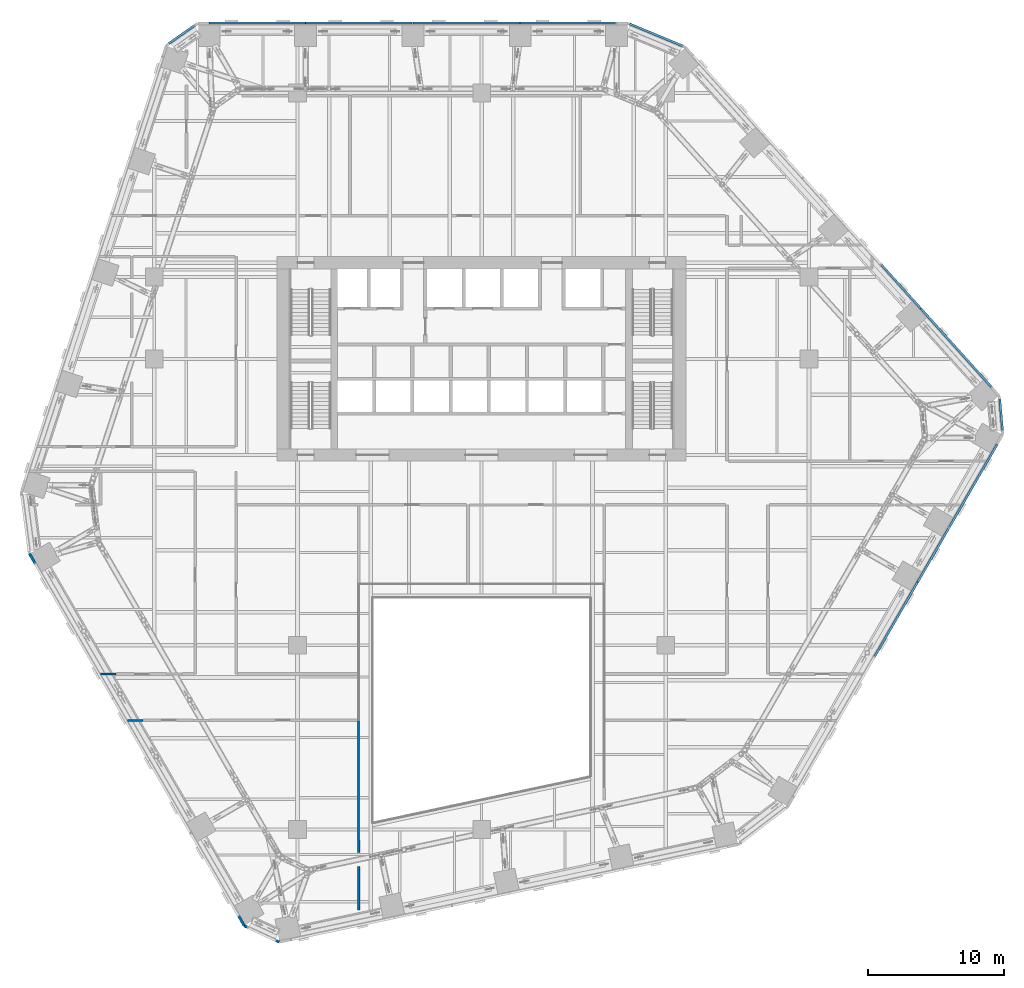
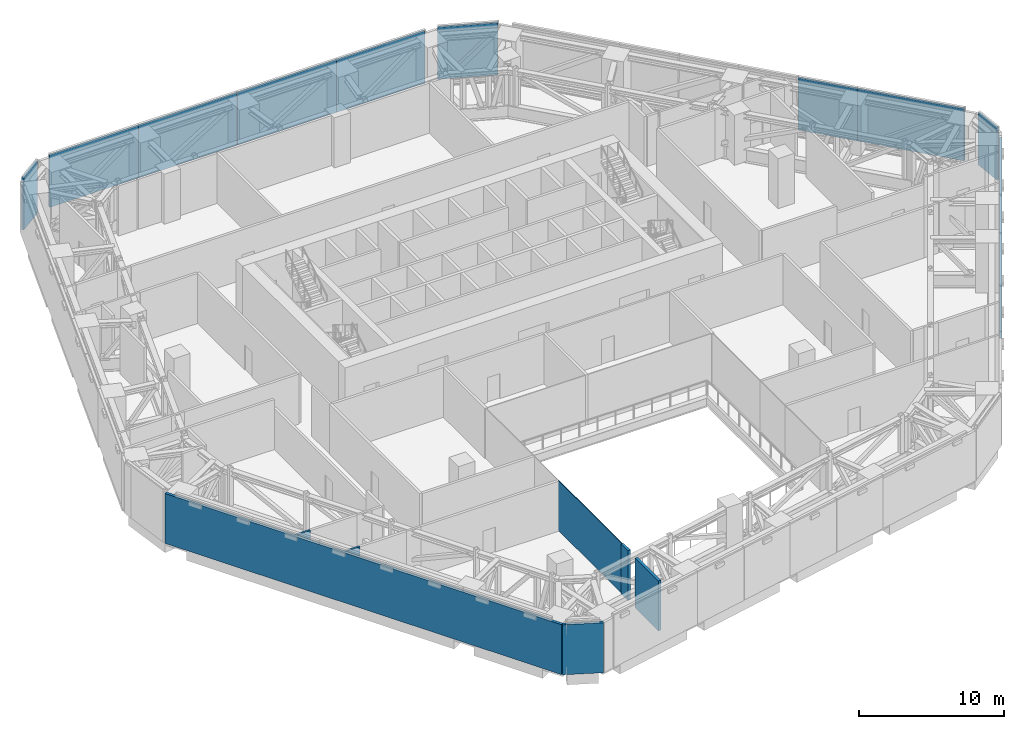
# One storey, part 20 of 36: 12 plates, 7 walls, 6 elements without a shape of their own.
"""IFC4 building model written with IfcOpenShell, lengths in metres."""

from ifc_helpers import new_model, si_unit, direction, frame, frame_2d, origin, origin_2d, place, context, subcontext, project, spatial, rectangle, extrude, material, layer, layer_set, type_object, element, aggregate, save


model = new_model("IFC4")

# Units and contexts
model_context = context("Model", 3, precision=1e-05, world=origin(), true_north=direction((0.0, 1.0)))
body_context = subcontext(model_context, "Body", "Model", "MODEL_VIEW")
ifc_project = project(units=[si_unit("LENGTHUNIT", "METRE"), si_unit("AREAUNIT", "SQUARE_METRE"), si_unit("VOLUMEUNIT", "CUBIC_METRE"), si_unit("PLANEANGLEUNIT", "RADIAN"), si_unit("MASSUNIT", "GRAM", prefix="KILO")], contexts=[model_context])

# Site, building, storey
site_placement = place(None, origin())
site = spatial("IfcSite", under=ifc_project, at=site_placement, CompositionType="ELEMENT")
building_placement = place(site_placement, origin())
building = spatial("IfcBuilding", under=site, at=building_placement, Name="Isthmus Gate Tower", CompositionType="ELEMENT")
storey_placement = place(building_placement, frame((0.0, 0.0, 117.14990234375)))
storey = spatial("IfcBuildingStorey", under=building, at=storey_placement, Name="L28", CompositionType="ELEMENT", Elevation=117.14990234375)

# Curtain wall, plates
ifc_material_1 = material(Name="Aluminium, pale champagne anodised", Category="aluminium")
ifc_layer_1 = layer(ifc_material_1, 0.199951171875)
ifc_layer_set_1 = layer_set([ifc_layer_1], Name="CW-2 LOUVRE CURTAIN WALL 200 DEEP")
curtain_wall_type = type_object("IfcCurtainWallType", Name="CW-2 LOUVRE CURTAIN WALL 200 DEEP", PredefinedType="NOTDEFINED", material=ifc_layer_set_1)
curtain_wall_1_placement = place(storey_placement, origin())
curtain_wall_1 = element("IfcCurtainWall", 1, at=curtain_wall_1_placement, inside=storey, type_object=curtain_wall_type, Name="CW-2 N L28", PredefinedType="NOTDEFINED")
ifc_material_2 = material(Name="Aluminium louvre blades, pale champagne anodised", Category="aluminium")
ifc_layer_2 = layer(ifc_material_2, 0.159912109375)
ifc_layer_set_2 = layer_set([ifc_layer_2], Name="CW-2 LOUVRE PANEL 160")
plate_type = type_object("IfcPlateType", Name="CW-2 LOUVRE PANEL 160", PredefinedType="CURTAIN_PANEL", material=ifc_layer_set_2)
plate_1_placement = place(storey_placement, frame((6.337158203125, 32.1201171875, 0.000244140625), z_axis=(0.0, 0.0, 1.0), x_axis=(-1.0, 0.0, 0.0)))
plate_1 = element("IfcPlate", 2, at=plate_1_placement, type_object=plate_type, Name="CW-2 louvre panel", PredefinedType="CURTAIN_PANEL", context=body_context, shape_type="SweptSolid", body=[
    extrude(rectangle(XDim=7.009521484375, YDim=0.159912109375, at=origin_2d()), origin(), (0.0, 0.0, 1.0), 4.3798828125),
])
plate_2_placement = place(storey_placement, frame((-1.1025390625, 32.1201171875, 0.000244140625), z_axis=(0.0, 0.0, 1.0), x_axis=(-1.0, 0.0, 0.0)))
plate_2 = element("IfcPlate", 3, at=plate_2_placement, type_object=plate_type, Name="CW-2 louvre panel", PredefinedType="CURTAIN_PANEL", context=body_context, shape_type="SweptSolid", body=[
    extrude(rectangle(XDim=7.86962890625, YDim=0.159912109375, at=origin_2d()), origin(), (0.0, 0.0, 1.0), 4.3798828125),
])
plate_3_placement = place(storey_placement, frame((-9.001953125, 32.1201171875, 0.000244140625), z_axis=(0.0, 0.0, 1.0), x_axis=(-1.0, 0.0, 0.0)))
plate_3 = element("IfcPlate", 4, at=plate_3_placement, type_object=plate_type, Name="CW-2 louvre panel", PredefinedType="CURTAIN_PANEL", context=body_context, shape_type="SweptSolid", body=[
    extrude(rectangle(XDim=7.8095703125, YDim=0.159912109375, at=origin_2d()), origin(), (0.0, 0.0, 1.0), 4.3798828125),
])
plate_4_placement = place(storey_placement, frame((-16.44140625, 32.1201171875, 0.000244140625), z_axis=(0.0, 0.0, 1.0), x_axis=(-1.0, 0.0, 0.0)))
plate_4 = element("IfcPlate", 5, at=plate_4_placement, type_object=plate_type, Name="CW-2 louvre panel", PredefinedType="CURTAIN_PANEL", context=body_context, shape_type="SweptSolid", body=[
    extrude(rectangle(XDim=7.069580078125, YDim=0.159912109375, at=origin_2d()), origin(), (0.0, 0.0, 1.0), 4.3798828125),
])
aggregate(curtain_wall_1, [plate_1, plate_2, plate_3, plate_4])

# Curtain wall, plate
curtain_wall_2_placement = place(storey_placement, origin())
curtain_wall_2 = element("IfcCurtainWall", 6, at=curtain_wall_2_placement, inside=storey, type_object=curtain_wall_type, Name="CW-2 N-NW L28", PredefinedType="NOTDEFINED")
plate_5_placement = place(storey_placement, frame((-21.990478515625, 31.29248046875, 0.000244140625), z_axis=(0.0, 0.0, 1.0), x_axis=(-0.81785959165, -0.57541783805, 0.0)))
plate_5 = element("IfcPlate", 7, at=plate_5_placement, type_object=plate_type, Name="CW-2 louvre panel", PredefinedType="CURTAIN_PANEL", context=body_context, shape_type="SweptSolid", body=[
    extrude(rectangle(XDim=2.258544921875, YDim=0.159912109375, at=origin_2d()), origin(), (0.0, 0.0, 1.0), 4.3798828125),
])
aggregate(curtain_wall_2, [plate_5])

# Curtain wall, plates
curtain_wall_3_placement = place(storey_placement, origin())
curtain_wall_3 = element("IfcCurtainWall", 8, at=curtain_wall_3_placement, inside=storey, type_object=curtain_wall_type, Name="CW-2 SE L28", PredefinedType="NOTDEFINED")
plate_6_placement = place(storey_placement, frame((30.404052734375, -11.57861328125, 0.000244140625), z_axis=(0.0, 0.0, 1.0), x_axis=(0.5, 0.866025403784, 0.0)))
plate_6 = element("IfcPlate", 9, at=plate_6_placement, type_object=plate_type, Name="CW-2 louvre panel", PredefinedType="CURTAIN_PANEL", context=body_context, shape_type="SweptSolid", body=[
    extrude(rectangle(XDim=6.278564453125, YDim=0.159912109375, at=origin_2d()), origin(), (0.0, 0.0, 1.0), 4.3798828125),
])
plate_7_placement = place(storey_placement, frame((33.121826171875, -6.871337890625, 0.000244140625), z_axis=(0.0, 0.0, 1.0), x_axis=(0.5, 0.866025403784, 0.0)))
plate_7 = element("IfcPlate", 10, at=plate_7_placement, type_object=plate_type, Name="CW-2 louvre panel", PredefinedType="CURTAIN_PANEL", context=body_context, shape_type="SweptSolid", body=[
    extrude(rectangle(XDim=4.5927734375, YDim=0.159912109375, at=origin_2d()), origin(), (0.0, 0.0, 1.0), 4.3798828125),
])
plate_8_placement = place(storey_placement, frame((36.052490234375, -1.79541015625, 0.000244140625), z_axis=(0.0, 0.0, 1.0), x_axis=(0.5, 0.866025403784, 0.0)))
plate_8 = element("IfcPlate", 11, at=plate_8_placement, type_object=plate_type, Name="CW-2 louvre panel", PredefinedType="CURTAIN_PANEL", context=body_context, shape_type="SweptSolid", body=[
    extrude(rectangle(XDim=7.009521484375, YDim=0.159912109375, at=origin_2d()), origin(), (0.0, 0.0, 1.0), 4.3798828125),
])
aggregate(curtain_wall_3, [plate_6, plate_7, plate_8])

# Curtain wall, plate
curtain_wall_4_placement = place(storey_placement, origin())
curtain_wall_4 = element("IfcCurtainWall", 12, at=curtain_wall_4_placement, inside=storey, type_object=curtain_wall_type, Name="CW-2 SE-NE L28", PredefinedType="NOTDEFINED")
plate_9_placement = place(storey_placement, frame((38.09521484375, 3.398193359375, 0.000244140625), z_axis=(0.0, 0.0, 1.0), x_axis=(-0.089396669717, 0.995996102123, 0.0)))
plate_9 = element("IfcPlate", 13, at=plate_9_placement, type_object=plate_type, Name="CW-2 louvre panel", PredefinedType="CURTAIN_PANEL", context=body_context, shape_type="SweptSolid", body=[
    extrude(rectangle(XDim=2.258544921875, YDim=0.159912109375, at=origin_2d()), origin(), (0.0, 0.0, 1.0), 4.3798828125),
])
aggregate(curtain_wall_4, [plate_9])

# Curtain wall, plates
curtain_wall_5_placement = place(storey_placement, origin())
curtain_wall_5 = element("IfcCurtainWall", 14, at=curtain_wall_5_placement, inside=storey, type_object=curtain_wall_type, Name="CW-2 NE L28", PredefinedType="NOTDEFINED")
plate_10_placement = place(storey_placement, frame((34.782470703125, 8.32763671875, 0.000244140625), z_axis=(0.0, 0.0, 1.0), x_axis=(-0.669130606359, 0.743144825477, 0.0)))
plate_10 = element("IfcPlate", 15, at=plate_10_placement, type_object=plate_type, Name="CW-2 louvre panel", PredefinedType="CURTAIN_PANEL", context=body_context, shape_type="SweptSolid", body=[
    extrude(rectangle(XDim=7.729248046875, YDim=0.159912109375, at=origin_2d()), origin(), (0.0, 0.0, 1.0), 4.3798828125),
])
plate_11_placement = place(storey_placement, frame((30.759521484375, 12.79541015625, 0.000244140625), z_axis=(0.0, 0.0, 1.0), x_axis=(-0.669130606359, 0.743144825477, 0.0)))
plate_11 = element("IfcPlate", 16, at=plate_11_placement, type_object=plate_type, Name="CW-2 louvre panel", PredefinedType="CURTAIN_PANEL", context=body_context, shape_type="SweptSolid", body=[
    extrude(rectangle(XDim=4.294677734375, YDim=0.159912109375, at=origin_2d()), origin(), (0.0, 0.0, 1.0), 4.3798828125),
])
aggregate(curtain_wall_5, [plate_10, plate_11])

# Curtain wall, plate
curtain_wall_6_placement = place(storey_placement, origin())
curtain_wall_6 = element("IfcCurtainWall", 17, at=curtain_wall_6_placement, inside=storey, type_object=curtain_wall_type, Name="CW-2 NE-N L28", PredefinedType="NOTDEFINED")
plate_12_placement = place(storey_placement, frame((12.793701171875, 31.26025390625, 0.000244140625), z_axis=(0.0, 0.0, 1.0), x_axis=(-0.923353128387, 0.383951820282, 0.0)))
plate_12 = element("IfcPlate", 18, at=plate_12_placement, type_object=plate_type, Name="CW-2 louvre panel", PredefinedType="CURTAIN_PANEL", context=body_context, shape_type="SweptSolid", body=[
    extrude(rectangle(XDim=4.181396484375, YDim=0.159912109375, at=origin_2d()), origin(), (0.0, 0.0, 1.0), 4.3798828125),
])
aggregate(curtain_wall_6, [plate_12])

# Walls
ifc_material_3 = material(Name="Concrete f'c 30 MPa", Category="concrete")
ifc_layer_3 = layer(ifc_material_3, 0.199951171875)
ifc_layer_set_3 = layer_set([ifc_layer_3], Name="Fire-rated block wall 200")
wall_type_1 = type_object("IfcWallType", Name="Fire-rated block wall 200", PredefinedType="PARTITIONING", material=ifc_layer_set_3)
wall_1_placement = place(storey_placement, frame((-9.0, -32.890625, 0.0), z_axis=(0.0, 0.0, 1.0), x_axis=(0.0, 1.0, 0.0)))
element("IfcWall", 19, at=wall_1_placement, inside=storey, type_object=wall_type_1, Name="Fire-rated wall", PredefinedType="PARTITIONING", context=body_context, shape_type="SweptSolid", body=[
    extrude(rectangle(XDim=3.18212890625, YDim=0.199951171875, at=frame_2d((1.591064453125, 0.0))), origin(), (0.0, 0.0, 1.0), 4.2001953125),
])
wall_2_placement = place(storey_placement, frame((-9.0, -28.686279296875, 0.0), z_axis=(0.0, 0.0, 1.0), x_axis=(0.0, 1.0, 0.0)))
element("IfcWall", 20, at=wall_2_placement, inside=storey, type_object=wall_type_1, Name="Fire-rated wall", PredefinedType="PARTITIONING", context=body_context, shape_type="SweptSolid", body=[
    extrude(rectangle(XDim=0.9072265625, YDim=0.199951171875, at=frame_2d((0.45361328125, 0.0))), origin(), (0.0, 0.0, 1.0), 4.2001953125),
])
wall_3_placement = place(storey_placement, frame((-14.83740234375, -35.256103515625, 0.0), z_axis=(0.0, 0.0, 1.0), x_axis=(-0.907266289946, 0.420556630108, 0.0)))
element("IfcWall", 21, at=wall_3_placement, inside=storey, type_object=wall_type_1, Name="Fire-rated wall", PredefinedType="PARTITIONING", context=body_context, shape_type="SweptSolid", body=[
    extrude(rectangle(XDim=2.819580078125, YDim=0.199951171875, at=frame_2d((1.40966796875, 0.0))), origin(), (0.0, 0.0, 1.0), 4.2001953125),
])
wall_4_placement = place(storey_placement, frame((-17.3955078125, -34.0703125, 0.0), z_axis=(0.0, 0.0, 1.0), x_axis=(-0.499999050453, 0.866025952005, 0.0)))
element("IfcWall", 22, at=wall_4_placement, inside=storey, type_object=wall_type_1, Name="Fire-rated wall", PredefinedType="PARTITIONING", context=body_context, shape_type="SweptSolid", body=[
    extrude(rectangle(XDim=31.52978515625, YDim=0.199951171875, at=frame_2d((15.764892578125, 0.0))), origin(), (0.0, 0.0, 1.0), 4.2001953125),
])
ifc_material_4 = material(Name="Fire-rated laminated glass in steel frame", Category="steel")
ifc_layer_4 = layer(ifc_material_4, 0.06005859375)
ifc_layer_set_4 = layer_set([ifc_layer_4], Name="Fire-rated glazed atrium screen 60")
wall_type_2 = type_object("IfcWallType", Name="Fire-rated glazed atrium screen 60", PredefinedType="PARTITIONING", material=ifc_layer_set_4)
wall_5_placement = place(storey_placement, frame((-9.0, -27.779052734375, 0.0), z_axis=(0.0, 0.0, 1.0), x_axis=(0.0, 1.0, 0.0)))
element("IfcWall", 23, at=wall_5_placement, inside=storey, type_object=wall_type_2, Name="Atrium screen", PredefinedType="PARTITIONING", context=body_context, shape_type="SweptSolid", body=[
    extrude(rectangle(XDim=8.778076171875, YDim=0.06005859375, at=frame_2d((4.38916015625, 0.0))), origin(), (0.0, 0.0, 1.0), 4.2001953125),
])
ifc_material_5 = material(Name="Gypsum board on cold-formed steel studs", Category="steel")
ifc_layer_5 = layer(ifc_material_5, 0.14990234375)
ifc_layer_set_5 = layer_set([ifc_layer_5])
wall_type_3 = type_object("IfcWallType", Name="Partition 150 gypsum board on steel studs", PredefinedType="PARTITIONING", material=ifc_layer_set_5)
for number, where, z_axis, x_axis, name in (
    (24, (-25.980712890625, -19.0, 0.0), (0.0, 0.0, 1.0), (1.0, 0.0, 0.0), "Partition"),
    (25, (-27.94384765625, -15.60009765625, 0.0), (0.0, 0.0, 1.0), (1.0, 0.0, 0.0), "Partition"),
):
    element("IfcWall", number, at=place(storey_placement, frame(where, z_axis=z_axis, x_axis=x_axis)), inside=storey, type_object=wall_type_3, Name=name, PredefinedType="PARTITIONING", context=body_context, shape_type="SweptSolid", body=[
        extrude(rectangle(XDim=1.153564453125, YDim=0.14990234375, at=frame_2d((0.57666015625, 0.0))), origin(), (0.0, 0.0, 1.0), 4.2001953125),
    ])

save(model, "model.ifc")
